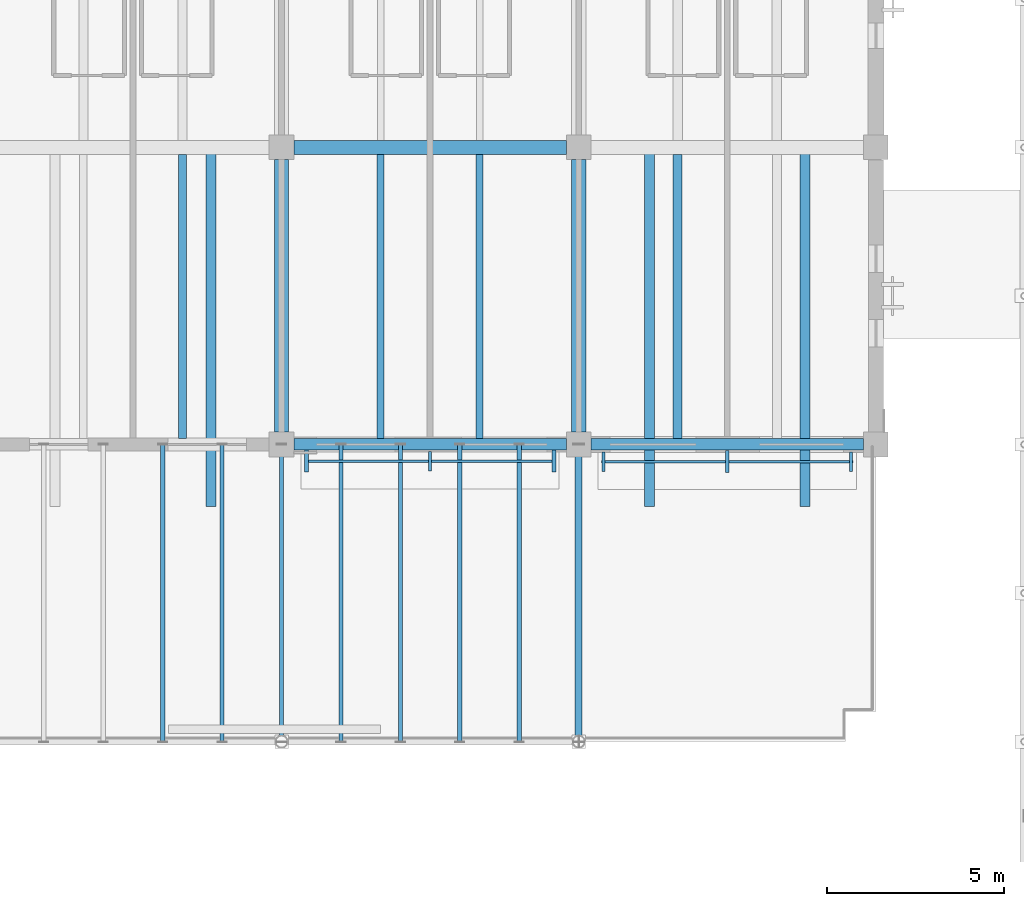
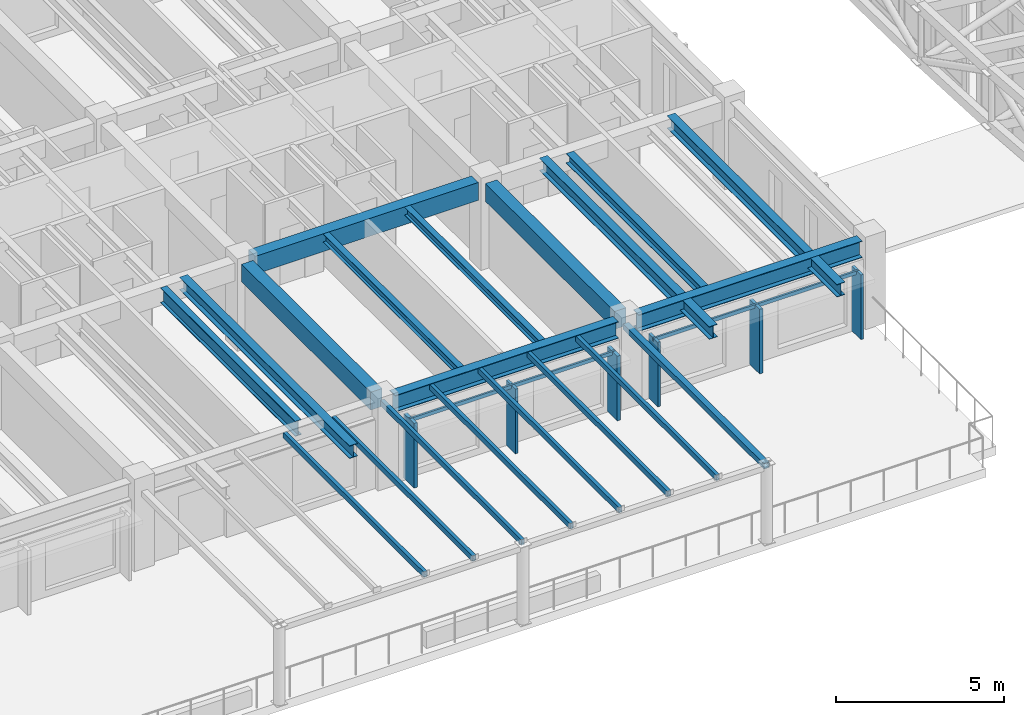
# One storey, part 20 of 111: 16 members, 12 beams, 2 elements without a shape of their own.
"""IFC4 building model written with IfcOpenShell, lengths in metres."""

import ifcopenshell
import ifcopenshell.guid

model = None  # the IFC model being written
_history = None  # IfcOwnerHistory: only IFC2X3 demands one
_inside = {}  # id of a spatial element -> (the spatial element, [elements in it])
_under = {}  # id of a project, library or spatial element -> (it, [spatial elements below it])
_declared = {}  # id of a project -> (the project, [libraries it declares])
_typed = {}  # id of a type object -> (the type object, [elements of that type])
_made_of = {}  # id of a material, layer set ... -> (it, [elements and type objects made of it])


def new_model(schema):
    """Start an empty IFC model of exactly this schema.

    Asked for "IFC4X3", IfcOpenShell would pick the latest addendum, in which some entities
    have other attributes; the version numbers below select the first issue.
    IFC2X3 requires an IfcOwnerHistory on every rooted entity: one is made here for all.
    """
    global model, _history
    if schema == "IFC4X3":
        model = ifcopenshell.file(schema_version=(4, 3, 0, 0))
    else:
        model = ifcopenshell.file(schema=schema)
    _inside.clear()
    _under.clear()
    _declared.clear()
    _typed.clear()
    _made_of.clear()
    _history = None
    if model.schema == "IFC2X3":
        org = make("IfcOrganization", Name="unknown")
        user = make(
            "IfcPersonAndOrganization",
            ThePerson=make("IfcPerson", FamilyName="unknown"),
            TheOrganization=org,
        )
        app = make(
            "IfcApplication",
            ApplicationDeveloper=org,
            Version="unknown",
            ApplicationFullName="unknown",
            ApplicationIdentifier="unknown",
        )
        _history = make(
            "IfcOwnerHistory",
            OwningUser=user,
            OwningApplication=app,
            ChangeAction="ADDED",
            CreationDate=0,
        )
    return model


def make(cls, **values):
    """One entity of the class cls with the attributes given. An attribute that is None is left unset."""
    return model.create_entity(
        cls, **{name: value for name, value in values.items() if value is not None}
    )


def rooted(cls, **values):
    """An entity with a GlobalId (a new one), such as an element, a storey or a relation."""
    return make(cls, GlobalId=ifcopenshell.guid.new(), OwnerHistory=_history, **values)


def si_unit(unit_type, name, prefix=None):
    """IfcSIUnit, for example si_unit("LENGTHUNIT", "METRE", prefix="MILLI")."""
    return make("IfcSIUnit", UnitType=unit_type, Prefix=prefix, Name=name)


def assignment(units):
    """IfcUnitAssignment: the units of a project."""
    return None if units is None else make("IfcUnitAssignment", Units=units)


def point(xyz):
    """IfcCartesianPoint."""
    return None if xyz is None else make("IfcCartesianPoint", Coordinates=xyz)


def direction(xyz):
    """IfcDirection."""
    return None if xyz is None else make("IfcDirection", DirectionRatios=xyz)


def frame(location, z_axis=None, x_axis=None):
    """IfcAxis2Placement3D, a coordinate frame: its origin and axes. An axis left out is left unset."""
    return make(
        "IfcAxis2Placement3D",
        Location=point(location),
        Axis=direction(z_axis),
        RefDirection=direction(x_axis),
    )


def frame_2d(location, x_axis=None):
    """IfcAxis2Placement2D, a coordinate frame in the plane: its origin and x axis."""
    return make(
        "IfcAxis2Placement2D", Location=point(location), RefDirection=direction(x_axis)
    )


def origin():
    """The frame at (0, 0, 0) with its axes left unset."""
    return frame((0.0, 0.0, 0.0))


def origin_2d():
    """The frame at (0, 0) in the plane with its x axis left unset."""
    return frame_2d((0.0, 0.0))


def place(relative_to, where):
    """IfcLocalPlacement: puts the frame where relative to a parent placement (None: the world)."""
    return make(
        "IfcLocalPlacement", PlacementRelTo=relative_to, RelativePlacement=where
    )


def context(
    kind, dimensions, precision=None, world=None, true_north=None, identifier=None
):
    """IfcGeometricRepresentationContext, for example the 3D "Model" context."""
    return make(
        "IfcGeometricRepresentationContext",
        ContextIdentifier=identifier,
        ContextType=kind,
        CoordinateSpaceDimension=dimensions,
        Precision=precision,
        WorldCoordinateSystem=world,
        TrueNorth=true_north,
    )


def subcontext(parent, identifier, kind, view, scale=None):
    """IfcGeometricRepresentationSubContext, for example "Body" below "Model"."""
    return make(
        "IfcGeometricRepresentationSubContext",
        ContextIdentifier=identifier,
        ContextType=kind,
        ParentContext=parent,
        TargetScale=scale,
        TargetView=view,
    )


def project(units=None, contexts=None):
    """IfcProject with its units and contexts."""
    return rooted(
        "IfcProject",
        Name="project",
        RepresentationContexts=contexts,
        UnitsInContext=assignment(units),
    )


def spatial(cls, under=None, at=None, **own):
    """A site, building, storey or space (cls), placed at a placement, below another one or the project."""
    s = rooted(cls, ObjectPlacement=at, **own)
    if under is not None:
        _under.setdefault(under.id(), (under, []))[1].append(s)
    return s


def profile(cls, at=None, kind="AREA", **sizes):
    """A parametric profile (cls). Its sizes go by their IFC names, for example OverallWidth=200.0."""
    return make(cls, ProfileType=kind, Position=at, **sizes)


def rectangle(**sizes):
    """IfcRectangleProfileDef."""
    return profile("IfcRectangleProfileDef", **sizes)


def hollow_rectangle(**sizes):
    """IfcRectangleHollowProfileDef."""
    return profile("IfcRectangleHollowProfileDef", **sizes)


def i_section(**sizes):
    """IfcIShapeProfileDef."""
    return profile("IfcIShapeProfileDef", **sizes)


def extrude(swept, where, along, depth):
    """IfcExtrudedAreaSolid: the profile swept, set in the frame where, extruded along a direction by depth."""
    return make(
        "IfcExtrudedAreaSolid",
        SweptArea=swept,
        Position=where,
        ExtrudedDirection=direction(along),
        Depth=depth,
    )


def shape(context_of_items, identifier, shape_type, items):
    """IfcShapeRepresentation: the items that make up one representation, for example the "Body"."""
    return make(
        "IfcShapeRepresentation",
        ContextOfItems=context_of_items,
        RepresentationIdentifier=identifier,
        RepresentationType=shape_type,
        Items=items,
    )


def material(Name=None, Category=None):
    """IfcMaterial."""
    return make("IfcMaterial", Name=Name, Category=Category)


def material_profile(
    of_material, cross_section, Name=None, Category=None, Priority=None
):
    """IfcMaterialProfile: a cross section and its material."""
    return make(
        "IfcMaterialProfile",
        Name=Name,
        Material=of_material,
        Profile=cross_section,
        Priority=Priority,
        Category=Category,
    )


def profile_set(profiles, Name=None, composite=None):
    """IfcMaterialProfileSet."""
    return make(
        "IfcMaterialProfileSet",
        Name=Name,
        MaterialProfiles=profiles,
        CompositeProfile=composite,
    )


def made_of(thing, what):
    """Note that an element or type object is made of a material, layer set ...; save() writes the relation."""
    if what is not None:
        _made_of.setdefault(what.id(), (what, []))[1].append(thing)
    return thing


def type_object(cls, material=None, **own):
    """A type object (cls), such as IfcWallType, which elements share."""
    return made_of(rooted(cls, **own), material)


def element(
    cls,
    number,
    at=None,
    inside=None,
    cuts=None,
    type_object=None,
    material=None,
    context=None,
    identifier="Body",
    shape_type=None,
    held_by="IfcProductDefinitionShape",
    body=None,
    shapes=None,
    **own,
):
    """One element of the class cls, such as IfcWall. Its Tag is "e" and its number.

    at: its placement. inside: the storey or other place that contains it. cuts: it is an
    opening in that element (IfcRelVoidsElement). A single representation is given by context,
    identifier, shape_type and body (its items); several are given by shapes. held_by: the class
    of the entity that holds the representations. save() writes the other relations.
    """
    e = rooted(cls, Tag="e%d" % number, ObjectPlacement=at, **own)
    if body is not None:
        shapes = [shape(context, identifier, shape_type, body)]
    if shapes is not None:
        e.Representation = make(held_by, Representations=shapes)
    if inside is not None:
        _inside.setdefault(inside.id(), (inside, []))[1].append(e)
    if cuts is not None:
        rooted(
            "IfcRelVoidsElement", RelatingBuildingElement=cuts, RelatedOpeningElement=e
        )
    if type_object is not None:
        _typed.setdefault(type_object.id(), (type_object, []))[1].append(e)
    return made_of(e, material)


def aggregate(whole, parts):
    """IfcRelAggregates: a whole, such as a stair, and the parts it consists of."""
    return rooted("IfcRelAggregates", RelatingObject=whole, RelatedObjects=parts)


def save(model, path):
    """Write the relations noted so far, then the file.

    IfcRelAggregates (storeys below a building ...), IfcRelContainedInSpatialStructure (elements
    in a storey), IfcRelDefinesByType, IfcRelAssociatesMaterial and IfcRelDeclares: one each for
    every whole, place, type object, material and project.
    """
    for whole, parts in _under.values():
        aggregate(whole, parts)
    for where, things in _inside.values():
        rooted(
            "IfcRelContainedInSpatialStructure",
            RelatedElements=things,
            RelatingStructure=where,
        )
    for kind, things in _typed.values():
        rooted("IfcRelDefinesByType", RelatedObjects=things, RelatingType=kind)
    for what, things in _made_of.values():
        rooted("IfcRelAssociatesMaterial", RelatedObjects=things, RelatingMaterial=what)
    for by, libraries in _declared.values():
        rooted("IfcRelDeclares", RelatingContext=by, RelatedDefinitions=libraries)
    model.write(path)


model = new_model("IFC4")

# Units and contexts
model_context = context("Model", 3, precision=1e-05, world=origin(), true_north=direction((0.0, 1.0)))
body_context = subcontext(model_context, "Body", "Model", "MODEL_VIEW")
ifc_project = project(units=[si_unit("LENGTHUNIT", "METRE"), si_unit("AREAUNIT", "SQUARE_METRE"), si_unit("VOLUMEUNIT", "CUBIC_METRE"), si_unit("PLANEANGLEUNIT", "RADIAN"), si_unit("MASSUNIT", "GRAM", prefix="KILO")], contexts=[model_context])

# Site, building, storey
site_placement = place(None, origin())
site = spatial("IfcSite", under=ifc_project, at=site_placement, CompositionType="ELEMENT")
building_placement = place(site_placement, origin())
building = spatial("IfcBuilding", under=site, at=building_placement, Name="Cumbredor Promenade Congress Hotel", CompositionType="ELEMENT")
storey_placement = place(building_placement, frame((0.0, 0.0, 15.1201171875)))
storey = spatial("IfcBuildingStorey", under=building, at=storey_placement, Name="L04", CompositionType="ELEMENT", Elevation=15.1201171875)

# Beams
ifc_material_1 = material(Name="Concrete C40/50", Category="concrete")
ifc_material_profile_1 = material_profile(ifc_material_1, rectangle(XDim=0.39990234375, YDim=0.64990234375, at=origin_2d()), Name="RC BEAM 400x650")
ifc_profile_set_1 = profile_set([ifc_material_profile_1], Name="Concrete C40/50")
beam_type_1 = type_object("IfcBeamType", Name="BM-RC-400x650", PredefinedType="BEAM", material=ifc_profile_set_1)
for number, where, z_axis, x_axis, name in (
    (1, (67.199951171875, 92.75, 2.794921875), (0.0, 1.0, 0.0), (-1.0, 0.0, 0.0), "L05 Y-Grid Beam 117"),
    (2, (67.550048828125, 100.800048828125, 2.794921875), (1.0, 0.0, 0.0), (0.0, 1.0, 0.0), "L05 X-Grid Beam 118"),
    (3, (75.60009765625, 92.75, 2.794921875), (0.0, 1.0, 0.0), (-1.0, 0.0, 0.0), "L05 Y-Grid Beam 124"),
):
    element("IfcBeam", number, at=place(storey_placement, frame(where, z_axis=z_axis, x_axis=x_axis)), inside=storey, type_object=beam_type_1, Name=name, PredefinedType="BEAM", context=body_context, shape_type="SweptSolid", body=[
        extrude(rectangle(XDim=0.39990234375, YDim=0.64990234375, at=origin_2d()), origin(), (0.0, 0.0, 1.0), 7.699951171875),
    ])
ifc_material_2 = material(Name="Steel ASTM A992 Grade 50", Category="steel")
ifc_material_profile_2 = material_profile(ifc_material_2, i_section(OverallWidth=0.323974609375, OverallDepth=0.611083984375, WebThickness=0.0126953125, FlangeThickness=0.01904296875, at=origin_2d()), Name="W24X104")
ifc_profile_set_2 = profile_set([ifc_material_profile_2], Name="Steel ASTM A992 Grade 50")
beam_type_2 = type_object("IfcBeamType", Name="BM-W24X104", PredefinedType="BEAM", material=ifc_profile_set_2)
for number, where, z_axis, x_axis, name in (
    (4, (67.550048828125, 92.39990234375, 2.814453125), (1.0, 0.0, 0.0), (0.0, 1.0, 0.0), "L05 X-Grid Beam 116"),
    (5, (75.949951171875, 92.39990234375, 2.814453125), (1.0, 0.0, 0.0), (0.0, 1.0, 0.0), "L05 X-Grid Beam 123"),
):
    element("IfcBeam", number, at=place(storey_placement, frame(where, z_axis=z_axis, x_axis=x_axis)), inside=storey, type_object=beam_type_2, Name=name, PredefinedType="BEAM", context=body_context, shape_type="SweptSolid", body=[
        extrude(i_section(OverallWidth=0.323974609375, OverallDepth=0.611083984375, WebThickness=0.0126953125, FlangeThickness=0.01904296875, at=origin_2d()), origin(), (0.0, 0.0, 1.0), 7.699951171875),
    ])

# Curtain wall, member
ifc_material_3 = material(Name="Thermally broken anodized aluminium and low-E glass", Category="aluminium")
curtain_wall_type = type_object("IfcCurtainWallType", Name="Solar Brise-Soleil Screen Assembly CW-07", PredefinedType="NOTDEFINED", material=ifc_material_3)
curtain_wall_1_placement = place(storey_placement, origin())
curtain_wall_1 = element("IfcCurtainWall", 6, at=curtain_wall_1_placement, inside=storey, type_object=curtain_wall_type, Name="L04 Hospitality Brise-Soleil Screen 072", PredefinedType="NOTDEFINED")
ifc_material_4 = material(Name="Thermally broken anodized aluminium", Category="aluminium")
ifc_material_profile_3 = material_profile(ifc_material_4, rectangle(XDim=0.06494140625, YDim=0.1298828125, at=origin_2d()), Name="ALU TRANSOM 65x130")
ifc_profile_set_3 = profile_set([ifc_material_profile_3], Name="Thermally broken anodized aluminium")
member_type_1 = type_object("IfcMemberType", Name="Curtain Wall Transom TR-01", PredefinedType="USERDEFINED", material=ifc_profile_set_3)
member_1_placement = place(storey_placement, frame((67.85107421875, 91.927490234375, 2.31396484375), z_axis=(1.0, 0.0, 0.0), x_axis=(0.0, 1.0, 0.0)))
member_1 = element("IfcMember", 7, at=member_1_placement, type_object=member_type_1, Name="L04 Brise-Soleil Screen Transom 072", ObjectType="TRANSOM", PredefinedType="USERDEFINED", context=body_context, shape_type="SweptSolid", body=[
    extrude(rectangle(XDim=0.06494140625, YDim=0.1298828125, at=origin_2d()), origin(), (0.0, 0.0, 1.0), 7.097900390625),
])

curtain_wall_2_placement = place(storey_placement, origin())
curtain_wall_2 = element("IfcCurtainWall", 8, at=curtain_wall_2_placement, inside=storey, type_object=curtain_wall_type, Name="L04 Hospitality Brise-Soleil Screen 073", PredefinedType="NOTDEFINED")
member_2_placement = place(storey_placement, frame((76.2509765625, 91.9150390625, 2.31396484375), z_axis=(1.0, 0.0, 0.0), x_axis=(0.0, 1.0, 0.0)))
member_2 = element("IfcMember", 9, at=member_2_placement, type_object=member_type_1, Name="L04 Brise-Soleil Screen Transom 073", ObjectType="TRANSOM", PredefinedType="USERDEFINED", context=body_context, shape_type="SweptSolid", body=[
    extrude(rectangle(XDim=0.06494140625, YDim=0.1298828125, at=origin_2d()), origin(), (0.0, 0.0, 1.0), 7.09814453125),
])

# Beams
ifc_material_profile_4 = material_profile(ifc_material_2, i_section(OverallWidth=0.202880859375, OverallDepth=0.302978515625, WebThickness=0.007568359375, FlangeThickness=0.01318359375, at=origin_2d()), Name="W12X40")
ifc_profile_set_4 = profile_set([ifc_material_profile_4], Name="Steel ASTM A992 Grade 50")
beam_type_3 = type_object("IfcBeamType", Name="JST-W12X40", PredefinedType="JOIST", material=ifc_profile_set_4)
for number, where, z_axis, x_axis, name in (
    (10, (70.0, 92.56201171875, 2.96826171875), (0.0, 1.0, 0.0), (-1.0, 0.0, 0.0), "L05 Secondary Floor Joist 0064"),
    (11, (72.800048828125, 92.56201171875, 2.96826171875), (0.0, 1.0, 0.0), (-1.0, 0.0, 0.0), "L05 Secondary Floor Joist 0065"),
):
    element("IfcBeam", number, at=place(storey_placement, frame(where, z_axis=z_axis, x_axis=x_axis)), inside=storey, type_object=beam_type_3, Name=name, PredefinedType="JOIST", context=body_context, shape_type="SweptSolid", body=[
        extrude(i_section(OverallWidth=0.202880859375, OverallDepth=0.302978515625, WebThickness=0.007568359375, FlangeThickness=0.01318359375, at=origin_2d()), origin(), (0.0, 0.0, 1.0), 8.0380859375),
    ])
ifc_material_profile_5 = material_profile(ifc_material_2, i_section(OverallWidth=0.2548828125, OverallDepth=0.35693359375, WebThickness=0.010498046875, FlangeThickness=0.018310546875, at=origin_2d()), Name="W14X68")
ifc_profile_set_5 = profile_set([ifc_material_profile_5], Name="Steel ASTM A992 Grade 50")
beam_type_4 = type_object("IfcBeamType", Name="JST-W14X68", PredefinedType="JOIST", material=ifc_profile_set_5)
beam_1_placement = place(storey_placement, frame((78.39990234375, 92.56201171875, 2.94140625), z_axis=(0.0, 1.0, 0.0), x_axis=(-1.0, 0.0, 0.0)))
element("IfcBeam", 12, at=beam_1_placement, inside=storey, type_object=beam_type_4, Name="L05 Secondary Floor Joist 0070", PredefinedType="JOIST", context=body_context, shape_type="SweptSolid", body=[
    extrude(i_section(OverallWidth=0.2548828125, OverallDepth=0.35693359375, WebThickness=0.010498046875, FlangeThickness=0.018310546875, at=origin_2d()), origin(), (0.0, 0.0, 1.0), 8.0380859375),
])
ifc_material_profile_6 = material_profile(ifc_material_2, i_section(OverallWidth=0.280029296875, OverallDepth=0.462890625, WebThickness=0.0107421875, FlangeThickness=0.017333984375, at=origin_2d()), Name="W18X76")
ifc_profile_set_6 = profile_set([ifc_material_profile_6], Name="Steel ASTM A992 Grade 50")
beam_type_5 = type_object("IfcBeamType", Name="JST-W18X76", PredefinedType="JOIST", material=ifc_profile_set_6)
for number, where, z_axis, x_axis, name in (
    (13, (65.199951171875, 90.64990234375, 2.888427734375), (0.0, 1.0, 0.0), (-1.0, 0.0, 0.0), "L05 Balcony Back-Spanned Outrigger Beam 032.2"),
    (14, (77.60009765625, 90.64990234375, 2.888427734375), (0.0, 1.0, 0.0), (-1.0, 0.0, 0.0), "L05 Balcony Back-Spanned Outrigger Beam 033.1"),
    (15, (82.0, 90.64990234375, 2.888427734375), (0.0, 1.0, 0.0), (-1.0, 0.0, 0.0), "L05 Balcony Back-Spanned Outrigger Beam 033.2"),
):
    element("IfcBeam", number, at=place(storey_placement, frame(where, z_axis=z_axis, x_axis=x_axis)), inside=storey, type_object=beam_type_5, Name=name, PredefinedType="JOIST", context=body_context, shape_type="SweptSolid", body=[
        extrude(i_section(OverallWidth=0.280029296875, OverallDepth=0.462890625, WebThickness=0.0107421875, FlangeThickness=0.017333984375, at=origin_2d()), origin(), (0.0, 0.0, 1.0), 10.150146484375),
    ])
ifc_material_profile_7 = material_profile(ifc_material_2, i_section(OverallWidth=0.214111328125, OverallDepth=0.549072265625, WebThickness=0.0146484375, FlangeThickness=0.023681640625, at=origin_2d()), Name="W21X93")
ifc_profile_set_7 = profile_set([ifc_material_profile_7], Name="Steel ASTM A992 Grade 50")
beam_type_6 = type_object("IfcBeamType", Name="JST-W21X93", PredefinedType="JOIST", material=ifc_profile_set_7)
beam_2_placement = place(storey_placement, frame((64.39990234375, 92.56201171875, 2.845458984375), z_axis=(0.0, 1.0, 0.0), x_axis=(-1.0, 0.0, 0.0)))
element("IfcBeam", 16, at=beam_2_placement, inside=storey, type_object=beam_type_6, Name="L05 Secondary Floor Joist 0059", PredefinedType="JOIST", context=body_context, shape_type="SweptSolid", body=[
    extrude(i_section(OverallWidth=0.214111328125, OverallDepth=0.549072265625, WebThickness=0.0146484375, FlangeThickness=0.023681640625, at=origin_2d()), origin(), (0.0, 0.0, 1.0), 8.0380859375),
])

# Members
ifc_material_5 = material(Name="Steel ASTM A500 Grade C", Category="steel")
ifc_material_profile_8 = material_profile(ifc_material_5, hollow_rectangle(XDim=0.199951171875, YDim=0.199951171875, WallThickness=0.012451171875, at=origin_2d()), Name="HSS 200x200x12.5")
ifc_profile_set_8 = profile_set([ifc_material_profile_8], Name="Steel ASTM A500 Grade C")
member_type_2 = type_object("IfcMemberType", Name="Link Bridge Truss Chord", PredefinedType="CHORD", material=ifc_profile_set_8)
member_3_placement = place(storey_placement, frame((75.60009765625, 84.0, 2.75), z_axis=(0.0, 1.0, 0.0), x_axis=(-1.0, 0.0, 0.0)))
element("IfcMember", 17, at=member_3_placement, inside=storey, type_object=member_type_2, Name="L04 Sky-Garden Pergola Tie Beam 2E", PredefinedType="CHORD", context=body_context, shape_type="SweptSolid", body=[
    extrude(hollow_rectangle(XDim=0.199951171875, YDim=0.199951171875, WallThickness=0.012451171875, at=origin_2d()), origin(), (0.0, 0.0, 1.0), 8.39990234375),
])
ifc_material_profile_9 = material_profile(ifc_material_5, hollow_rectangle(XDim=0.1201171875, YDim=0.199951171875, WallThickness=0.010009765625, at=origin_2d()), Name="HSS 200x120x10")
ifc_profile_set_9 = profile_set([ifc_material_profile_9], Name="Steel ASTM A500 Grade C")
member_type_3 = type_object("IfcMemberType", Name="Roof Purlin HSS200x120", PredefinedType="PURLIN", material=ifc_profile_set_9)
for number, where, z_axis, x_axis, name in (
    (18, (63.840087890625, 84.0, 2.89990234375), (0.0, 1.0, 0.0), (-1.0, 0.0, 0.0), "L04 Sky-Garden Trellis Slat 2.4"),
    (19, (65.52001953125, 84.0, 2.89990234375), (0.0, 1.0, 0.0), (-1.0, 0.0, 0.0), "L04 Sky-Garden Trellis Slat 2.5"),
    (20, (67.199951171875, 84.0, 2.89990234375), (0.0, 1.0, 0.0), (-1.0, 0.0, 0.0), "L04 Sky-Garden Trellis Slat 2.6"),
    (21, (68.8798828125, 84.0, 2.89990234375), (0.0, 1.0, 0.0), (-1.0, 0.0, 0.0), "L04 Sky-Garden Trellis Slat 2.7"),
    (22, (70.56005859375, 84.0, 2.89990234375), (0.0, 1.0, 0.0), (-1.0, 0.0, 0.0), "L04 Sky-Garden Trellis Slat 2.8"),
    (23, (72.239990234375, 84.0, 2.89990234375), (0.0, 1.0, 0.0), (-1.0, 0.0, 0.0), "L04 Sky-Garden Trellis Slat 2.9"),
    (24, (73.919921875, 84.0, 2.89990234375), (0.0, 1.0, 0.0), (-1.0, 0.0, 0.0), "L04 Sky-Garden Trellis Slat 2.10"),
):
    element("IfcMember", number, at=place(storey_placement, frame(where, z_axis=z_axis, x_axis=x_axis)), inside=storey, type_object=member_type_3, Name=name, PredefinedType="PURLIN", context=body_context, shape_type="SweptSolid", body=[
        extrude(hollow_rectangle(XDim=0.1201171875, YDim=0.199951171875, WallThickness=0.010009765625, at=origin_2d()), origin(), (0.0, 0.0, 1.0), 8.39990234375),
    ])

# Member
ifc_material_profile_10 = material_profile(ifc_material_4, rectangle(XDim=0.110107421875, YDim=0.6201171875, at=origin_2d()), Name="ARCH FIN 110x620")
ifc_profile_set_10 = profile_set([ifc_material_profile_10], Name="Thermally broken anodized aluminium")
member_type_4 = type_object("IfcMemberType", Name="Vertical Bronze Brise-Soleil Fin BSF-02 110x620", PredefinedType="USERDEFINED", material=ifc_profile_set_10)
member_4_placement = place(storey_placement, frame((67.90087890625, 91.927490234375, 0.019775390625), z_axis=(0.0, 0.0, 1.0), x_axis=(1.0, 0.0, 0.0)))
member_4 = element("IfcMember", 25, at=member_4_placement, type_object=member_type_4, Name="L04 Vertical Brise-Soleil Fin 0754", ObjectType="SOLAR FIN", PredefinedType="USERDEFINED", context=body_context, shape_type="SweptSolid", body=[
    extrude(rectangle(XDim=0.110107421875, YDim=0.6201171875, at=origin_2d()), origin(), (0.0, 0.0, 1.0), 2.35400390625),
])

member_5_placement = place(storey_placement, frame((74.89892578125, 91.927490234375, 0.019775390625), z_axis=(0.0, 0.0, 1.0), x_axis=(1.0, 0.0, 0.0)))
member_5 = element("IfcMember", 26, at=member_5_placement, type_object=member_type_4, Name="L04 Vertical Brise-Soleil Fin 0756", ObjectType="SOLAR FIN", PredefinedType="USERDEFINED", context=body_context, shape_type="SweptSolid", body=[
    extrude(rectangle(XDim=0.110107421875, YDim=0.6201171875, at=origin_2d()), origin(), (0.0, 0.0, 1.0), 2.35400390625),
])

member_6_placement = place(storey_placement, frame((79.800048828125, 91.9150390625, 0.019775390625), z_axis=(0.0, 0.0, 1.0), x_axis=(1.0, 0.0, 0.0)))
member_6 = element("IfcMember", 27, at=member_6_placement, type_object=member_type_4, Name="L04 Vertical Brise-Soleil Fin 0758", ObjectType="SOLAR FIN", PredefinedType="USERDEFINED", context=body_context, shape_type="SweptSolid", body=[
    extrude(rectangle(XDim=0.110107421875, YDim=0.6201171875, at=origin_2d()), origin(), (0.0, 0.0, 1.0), 2.35400390625),
])

ifc_material_6 = material(Name="Kiln-dried tropical hardwood", Category="wood")
ifc_material_profile_11 = material_profile(ifc_material_6, rectangle(XDim=0.090087890625, YDim=0.550048828125, at=origin_2d()), Name="ARCH FIN 90x550")
ifc_profile_set_11 = profile_set([ifc_material_profile_11], Name="Kiln-dried tropical hardwood")
member_type_5 = type_object("IfcMemberType", Name="Vertical Hardwood Brise-Soleil Fin BSF-01 90x550", PredefinedType="USERDEFINED", material=ifc_profile_set_11)
member_7_placement = place(storey_placement, frame((71.39990234375, 91.927490234375, 0.019775390625), z_axis=(0.0, 0.0, 1.0), x_axis=(1.0, 0.0, 0.0)))
member_7 = element("IfcMember", 28, at=member_7_placement, type_object=member_type_5, Name="L04 Vertical Brise-Soleil Fin 0755", ObjectType="SOLAR FIN", PredefinedType="USERDEFINED", context=body_context, shape_type="SweptSolid", body=[
    extrude(rectangle(XDim=0.090087890625, YDim=0.550048828125, at=origin_2d()), origin(), (0.0, 0.0, 1.0), 2.35400390625),
])

aggregate(curtain_wall_1, [member_1, member_4, member_7, member_5])

member_8_placement = place(storey_placement, frame((76.301025390625, 91.9150390625, 0.019775390625), z_axis=(0.0, 0.0, 1.0), x_axis=(1.0, 0.0, 0.0)))
member_8 = element("IfcMember", 29, at=member_8_placement, type_object=member_type_5, Name="L04 Vertical Brise-Soleil Fin 0757", ObjectType="SOLAR FIN", PredefinedType="USERDEFINED", context=body_context, shape_type="SweptSolid", body=[
    extrude(rectangle(XDim=0.090087890625, YDim=0.550048828125, at=origin_2d()), origin(), (0.0, 0.0, 1.0), 2.35400390625),
])

member_9_placement = place(storey_placement, frame((83.299072265625, 91.9150390625, 0.019775390625), z_axis=(0.0, 0.0, 1.0), x_axis=(1.0, 0.0, 0.0)))
member_9 = element("IfcMember", 30, at=member_9_placement, type_object=member_type_5, Name="L04 Vertical Brise-Soleil Fin 0759", ObjectType="SOLAR FIN", PredefinedType="USERDEFINED", context=body_context, shape_type="SweptSolid", body=[
    extrude(rectangle(XDim=0.090087890625, YDim=0.550048828125, at=origin_2d()), origin(), (0.0, 0.0, 1.0), 2.35400390625),
])

aggregate(curtain_wall_2, [member_2, member_8, member_6, member_9])

save(model, "model.ifc")
